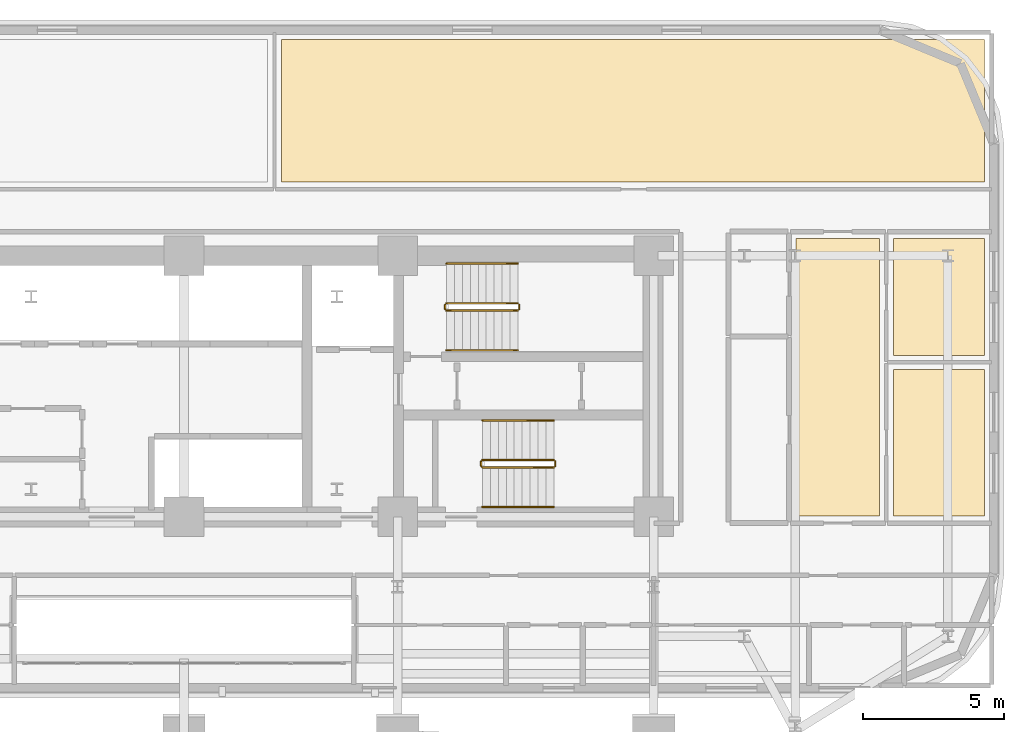
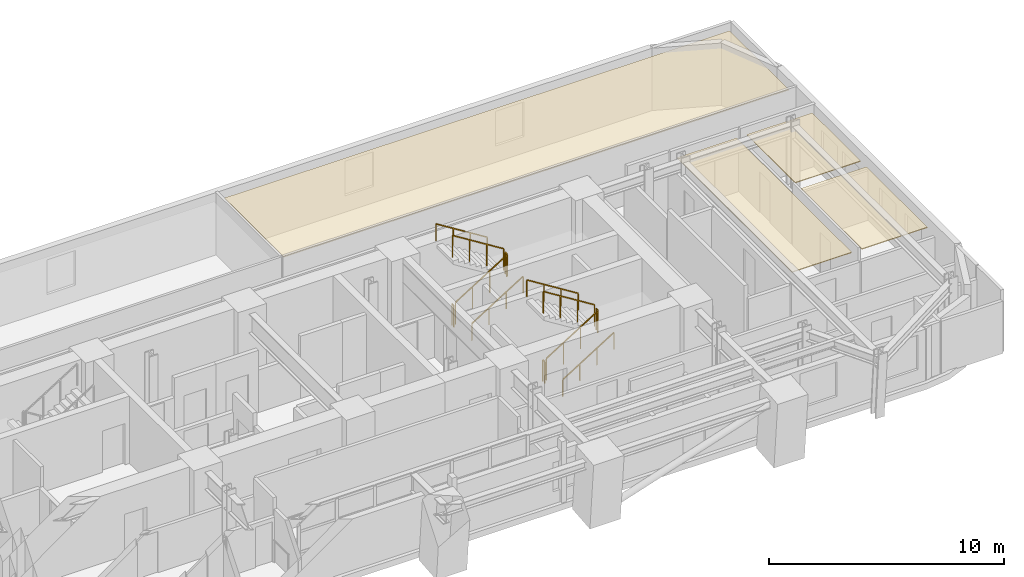
# One storey, part 15 of 15: 12 railings, 4 coverings.
"""IFC4 building model written with IfcOpenShell, lengths in metres."""

from ifc_helpers import new_model, si_unit, direction, frame, origin, origin_2d, place, context, subcontext, project, spatial, polyline, rectangle, outline, extrude, material, layer, layer_set, type_object, element, save


model = new_model("IFC4")

# Units and contexts
model_context = context("Model", 3, precision=1e-05, world=origin(), true_north=direction((0.0, 1.0)))
body_context = subcontext(model_context, "Body", "Model", "MODEL_VIEW")
ifc_project = project(units=[si_unit("LENGTHUNIT", "METRE"), si_unit("AREAUNIT", "SQUARE_METRE"), si_unit("VOLUMEUNIT", "CUBIC_METRE"), si_unit("PLANEANGLEUNIT", "RADIAN"), si_unit("MASSUNIT", "GRAM", prefix="KILO")], contexts=[model_context])

# Site, building, storey
site_placement = place(None, origin())
site = spatial("IfcSite", under=ifc_project, at=site_placement, CompositionType="ELEMENT")
building_placement = place(site_placement, origin())
building = spatial("IfcBuilding", under=site, at=building_placement, Name="Zarnavel Station Tower", CompositionType="ELEMENT")
storey_placement = place(building_placement, frame((0.0, 0.0, 67.5)))
storey = spatial("IfcBuildingStorey", under=building, at=storey_placement, Name="L18", CompositionType="ELEMENT", Elevation=67.5)

# Coverings
ifc_material_1 = material(Name="Perforated Gypsum and Mineral-Wool Acoustic Ceiling", Category="concrete")
ifc_layer = layer(ifc_material_1, 0.0400390625)
ifc_layer_set = layer_set([ifc_layer], Name="COV_CEIL_ACOUSTIC")
covering_type = type_object("IfcCoveringType", Name="COV_CEIL_ACOUSTIC", PredefinedType="CEILING", material=ifc_layer_set)
covering_1_placement = place(storey_placement, frame((0.0, 0.0, 2.919921875)))
element("IfcCovering", 1, at=covering_1_placement, inside=storey, type_object=covering_type, Name="L18 FNELV Acoustic Ceiling", PredefinedType="CEILING", context=body_context, shape_type="SweptSolid", body=[
    extrude(outline(polyline([(50.43701171875, 27.85009765625), (53.3740234375, 27.85009765625), (53.3740234375, 37.64990234375), (50.43701171875, 37.64990234375), (50.43701171875, 27.85009765625)])), origin(), (0.0, 0.0, 1.0), 0.0400390625),
])
covering_2_placement = place(storey_placement, frame((0.0, 0.0, 2.919921875)))
element("IfcCovering", 2, at=covering_2_placement, inside=storey, type_object=covering_type, Name="L18 FNEB1 Acoustic Ceiling", PredefinedType="CEILING", context=body_context, shape_type="SweptSolid", body=[
    extrude(outline(polyline([(53.8740234375, 27.85009765625), (57.090087890625, 27.85009765625), (57.090087890625, 33.029052734375), (53.8740234375, 33.029052734375), (53.8740234375, 27.85009765625)])), origin(), (0.0, 0.0, 1.0), 0.0400390625),
])
covering_3_placement = place(storey_placement, frame((0.0, 0.0, 2.919921875)))
element("IfcCovering", 3, at=covering_3_placement, inside=storey, type_object=covering_type, Name="L18 FNEB2 Acoustic Ceiling", PredefinedType="CEILING", context=body_context, shape_type="SweptSolid", body=[
    extrude(outline(polyline([(53.8740234375, 33.529052734375), (57.090087890625, 33.529052734375), (57.090087890625, 37.64990234375), (53.8740234375, 37.64990234375), (53.8740234375, 33.529052734375)])), origin(), (0.0, 0.0, 1.0), 0.0400390625),
])
covering_4_placement = place(storey_placement, frame((0.0, 0.0, 2.919921875)))
element("IfcCovering", 4, at=covering_4_placement, inside=storey, type_object=covering_type, Name="L18 NL5B Acoustic Ceiling", PredefinedType="CEILING", context=body_context, shape_type="SweptSolid", body=[
    extrude(outline(polyline([(32.25, 39.64990234375), (57.090087890625, 39.64990234375), (57.090087890625, 44.68994140625), (32.25, 44.68994140625), (32.25, 39.64990234375)])), origin(), (0.0, 0.0, 1.0), 0.0400390625),
])

# Railings
ifc_material_2 = material(Name="Painted Steel S355J2 Balustrade", Category="steel")
railing_type_1 = type_object("IfcRailingType", Name="GR_INT_1150", PredefinedType="GUARDRAIL", material=ifc_material_2)
railing_1_placement = place(storey_placement, frame((38.080078125, 35.110107421875, 0.175048828125)))
element("IfcRailing", 5, at=railing_1_placement, inside=storey, type_object=railing_type_1, Name="L18 ST2 stair guard 1", PredefinedType="GUARDRAIL", context=body_context, shape_type="SweptSolid", body=[
    extrude(rectangle(XDim=0.048095703125, YDim=0.048095703125, at=origin_2d()), frame((0.001708984375, 0.0, 1.126953125), z_axis=(0.848007534815, 0.0, 0.529984170421), x_axis=(0.0, 1.0, 0.0)), (0.0, 0.0, 1.0), 2.9677734375),
    extrude(rectangle(XDim=0.0419921875, YDim=0.0419921875, at=origin_2d()), origin(), (0.0, 0.0, 1.0), 1.101806640625),
    extrude(rectangle(XDim=0.0419921875, YDim=0.0419921875, at=origin_2d()), frame((0.840087890625, 0.0, 0.52490234375)), (0.0, 0.0, 1.0), 1.101806640625),
    extrude(rectangle(XDim=0.0419921875, YDim=0.0419921875, at=origin_2d()), frame((1.679931640625, 0.0, 1.050048828125)), (0.0, 0.0, 1.0), 1.101806640625),
    extrude(rectangle(XDim=0.0419921875, YDim=0.0419921875, at=origin_2d()), frame((2.52001953125, 0.0, 1.574951171875)), (0.0, 0.0, 1.0), 1.101806640625),
])
railing_2_placement = place(storey_placement, frame((40.64990234375, 35.159912109375, 1.75)))
element("IfcRailing", 6, at=railing_2_placement, inside=storey, type_object=railing_type_1, Name="L18 ST2 stair guard 2", PredefinedType="GUARDRAIL", context=body_context, shape_type="SweptSolid", body=[
    extrude(rectangle(XDim=0.048095703125, YDim=0.048095703125, at=origin_2d()), frame((0.0, 0.001953125, 1.1259765625), z_axis=(0.0, 1.0, 0.0), x_axis=(-1.0, 0.0, 0.0)), (0.0, 0.0, 1.0), 0.15625),
    extrude(rectangle(XDim=0.0419921875, YDim=0.0419921875, at=origin_2d()), origin(), (0.0, 0.0, 1.0), 1.101806640625),
    extrude(rectangle(XDim=0.0419921875, YDim=0.0419921875, at=origin_2d()), frame((0.0, 0.16015625, 0.0)), (0.0, 0.0, 1.0), 1.101806640625),
])
railing_3_placement = place(storey_placement, frame((40.60009765625, 35.3701171875, 1.925048828125)))
element("IfcRailing", 7, at=railing_3_placement, inside=storey, type_object=railing_type_1, Name="L18 ST2 stair guard 3", PredefinedType="GUARDRAIL", context=body_context, shape_type="SweptSolid", body=[
    extrude(rectangle(XDim=0.048095703125, YDim=0.048095703125, at=origin_2d()), frame((-0.001708984375, 0.0, 1.126953125), z_axis=(-0.848007534815, 0.0, 0.529984170421), x_axis=(0.0, -1.0, 0.0)), (0.0, 0.0, 1.0), 2.9677734375),
    extrude(rectangle(XDim=0.0419921875, YDim=0.0419921875, at=origin_2d()), origin(), (0.0, 0.0, 1.0), 1.101806640625),
    extrude(rectangle(XDim=0.0419921875, YDim=0.0419921875, at=origin_2d()), frame((-0.840087890625, 0.0, 0.52490234375)), (0.0, 0.0, 1.0), 1.101806640625),
    extrude(rectangle(XDim=0.0419921875, YDim=0.0419921875, at=origin_2d()), frame((-1.679931640625, 0.0, 1.050048828125)), (0.0, 0.0, 1.0), 1.101806640625),
    extrude(rectangle(XDim=0.0419921875, YDim=0.0419921875, at=origin_2d()), frame((-2.52001953125, 0.0, 1.574951171875)), (0.0, 0.0, 1.0), 1.101806640625),
])
railing_4_placement = place(storey_placement, frame((38.030029296875, 35.159912109375, 0.0)))
element("IfcRailing", 8, at=railing_4_placement, inside=storey, type_object=railing_type_1, Name="L18 ST2 stair guard 4", PredefinedType="GUARDRAIL", context=body_context, shape_type="SweptSolid", body=[
    extrude(rectangle(XDim=0.048095703125, YDim=0.048095703125, at=origin_2d()), frame((0.0, 0.001953125, 1.1259765625), z_axis=(0.0, 1.0, 0.0), x_axis=(-1.0, 0.0, 0.0)), (0.0, 0.0, 1.0), 0.15625),
    extrude(rectangle(XDim=0.0419921875, YDim=0.0419921875, at=origin_2d()), origin(), (0.0, 0.0, 1.0), 1.101806640625),
    extrude(rectangle(XDim=0.0419921875, YDim=0.0419921875, at=origin_2d()), frame((0.0, 0.16015625, 0.0)), (0.0, 0.0, 1.0), 1.101806640625),
])
railing_5_placement = place(storey_placement, frame((39.35009765625, 29.570068359375, 0.175048828125)))
element("IfcRailing", 9, at=railing_5_placement, inside=storey, type_object=railing_type_1, Name="L18 ST3 stair guard 1", PredefinedType="GUARDRAIL", context=body_context, shape_type="SweptSolid", body=[
    extrude(rectangle(XDim=0.048095703125, YDim=0.048095703125, at=origin_2d()), frame((0.001708984375, 0.0, 1.126953125), z_axis=(0.848007534815, 0.0, 0.529984170421), x_axis=(0.0, 1.0, 0.0)), (0.0, 0.0, 1.0), 2.9677734375),
    extrude(rectangle(XDim=0.0419921875, YDim=0.0419921875, at=origin_2d()), origin(), (0.0, 0.0, 1.0), 1.101806640625),
    extrude(rectangle(XDim=0.0419921875, YDim=0.0419921875, at=origin_2d()), frame((0.840087890625, 0.0, 0.52490234375)), (0.0, 0.0, 1.0), 1.101806640625),
    extrude(rectangle(XDim=0.0419921875, YDim=0.0419921875, at=origin_2d()), frame((1.679931640625, 0.0, 1.050048828125)), (0.0, 0.0, 1.0), 1.101806640625),
    extrude(rectangle(XDim=0.0419921875, YDim=0.0419921875, at=origin_2d()), frame((2.52001953125, 0.0, 1.574951171875)), (0.0, 0.0, 1.0), 1.101806640625),
])
railing_6_placement = place(storey_placement, frame((41.919921875, 29.6201171875, 1.75)))
element("IfcRailing", 10, at=railing_6_placement, inside=storey, type_object=railing_type_1, Name="L18 ST3 stair guard 2", PredefinedType="GUARDRAIL", context=body_context, shape_type="SweptSolid", body=[
    extrude(rectangle(XDim=0.048095703125, YDim=0.048095703125, at=origin_2d()), frame((0.0, 0.001953125, 1.1259765625), z_axis=(0.0, 1.0, 0.0), x_axis=(-1.0, 0.0, 0.0)), (0.0, 0.0, 1.0), 0.156005859375),
    extrude(rectangle(XDim=0.0419921875, YDim=0.0419921875, at=origin_2d()), origin(), (0.0, 0.0, 1.0), 1.101806640625),
    extrude(rectangle(XDim=0.0419921875, YDim=0.0419921875, at=origin_2d()), frame((0.0, 0.159912109375, 0.0)), (0.0, 0.0, 1.0), 1.101806640625),
])
railing_7_placement = place(storey_placement, frame((41.8701171875, 29.830078125, 1.925048828125)))
element("IfcRailing", 11, at=railing_7_placement, inside=storey, type_object=railing_type_1, Name="L18 ST3 stair guard 3", PredefinedType="GUARDRAIL", context=body_context, shape_type="SweptSolid", body=[
    extrude(rectangle(XDim=0.048095703125, YDim=0.048095703125, at=origin_2d()), frame((-0.001708984375, 0.0, 1.126953125), z_axis=(-0.848007534815, 0.0, 0.529984170421), x_axis=(0.0, -1.0, 0.0)), (0.0, 0.0, 1.0), 2.9677734375),
    extrude(rectangle(XDim=0.0419921875, YDim=0.0419921875, at=origin_2d()), origin(), (0.0, 0.0, 1.0), 1.101806640625),
    extrude(rectangle(XDim=0.0419921875, YDim=0.0419921875, at=origin_2d()), frame((-0.840087890625, 0.0, 0.52490234375)), (0.0, 0.0, 1.0), 1.101806640625),
    extrude(rectangle(XDim=0.0419921875, YDim=0.0419921875, at=origin_2d()), frame((-1.679931640625, 0.0, 1.050048828125)), (0.0, 0.0, 1.0), 1.101806640625),
    extrude(rectangle(XDim=0.0419921875, YDim=0.0419921875, at=origin_2d()), frame((-2.52001953125, 0.0, 1.574951171875)), (0.0, 0.0, 1.0), 1.101806640625),
])
railing_8_placement = place(storey_placement, frame((39.300048828125, 29.6201171875, 0.0)))
element("IfcRailing", 12, at=railing_8_placement, inside=storey, type_object=railing_type_1, Name="L18 ST3 stair guard 4", PredefinedType="GUARDRAIL", context=body_context, shape_type="SweptSolid", body=[
    extrude(rectangle(XDim=0.048095703125, YDim=0.048095703125, at=origin_2d()), frame((0.0, 0.001953125, 1.1259765625), z_axis=(0.0, 1.0, 0.0), x_axis=(-1.0, 0.0, 0.0)), (0.0, 0.0, 1.0), 0.156005859375),
    extrude(rectangle(XDim=0.0419921875, YDim=0.0419921875, at=origin_2d()), origin(), (0.0, 0.0, 1.0), 1.101806640625),
    extrude(rectangle(XDim=0.0419921875, YDim=0.0419921875, at=origin_2d()), frame((0.0, 0.159912109375, 0.0)), (0.0, 0.0, 1.0), 1.101806640625),
])
ifc_material_3 = material(Name="Brushed Stainless Steel S355J2 Handrail", Category="steel")
railing_type_2 = type_object("IfcRailingType", Name="HR_STAIR_900", PredefinedType="HANDRAIL", material=ifc_material_3)
railing_9_placement = place(storey_placement, frame((38.080078125, 33.7099609375, 0.175048828125)))
element("IfcRailing", 13, at=railing_9_placement, inside=storey, type_object=railing_type_2, Name="L18 ST2 stair handrail 1", PredefinedType="HANDRAIL", context=body_context, shape_type="SweptSolid", body=[
    extrude(rectangle(XDim=0.048095703125, YDim=0.048095703125, at=origin_2d()), frame((0.001708984375, 0.0, 0.876953125), z_axis=(0.848007534815, 0.0, 0.529984170421), x_axis=(0.0, 1.0, 0.0)), (0.0, 0.0, 1.0), 2.9677734375),
    extrude(rectangle(XDim=0.0419921875, YDim=0.0419921875, at=origin_2d()), origin(), (0.0, 0.0, 1.0), 0.851806640625),
    extrude(rectangle(XDim=0.0419921875, YDim=0.0419921875, at=origin_2d()), frame((0.840087890625, 0.0, 0.52490234375)), (0.0, 0.0, 1.0), 0.851806640625),
    extrude(rectangle(XDim=0.0419921875, YDim=0.0419921875, at=origin_2d()), frame((1.679931640625, 0.0, 1.050048828125)), (0.0, 0.0, 1.0), 0.851806640625),
    extrude(rectangle(XDim=0.0419921875, YDim=0.0419921875, at=origin_2d()), frame((2.52001953125, 0.0, 1.574951171875)), (0.0, 0.0, 1.0), 0.851806640625),
])
railing_10_placement = place(storey_placement, frame((40.60009765625, 36.77001953125, 1.925048828125)))
element("IfcRailing", 14, at=railing_10_placement, inside=storey, type_object=railing_type_2, Name="L18 ST2 stair handrail 2", PredefinedType="HANDRAIL", context=body_context, shape_type="SweptSolid", body=[
    extrude(rectangle(XDim=0.048095703125, YDim=0.048095703125, at=origin_2d()), frame((-0.001708984375, 0.0, 0.876953125), z_axis=(-0.848007534815, 0.0, 0.529984170421), x_axis=(0.0, -1.0, 0.0)), (0.0, 0.0, 1.0), 2.9677734375),
    extrude(rectangle(XDim=0.0419921875, YDim=0.0419921875, at=origin_2d()), origin(), (0.0, 0.0, 1.0), 0.851806640625),
    extrude(rectangle(XDim=0.0419921875, YDim=0.0419921875, at=origin_2d()), frame((-0.840087890625, 0.0, 0.52490234375)), (0.0, 0.0, 1.0), 0.851806640625),
    extrude(rectangle(XDim=0.0419921875, YDim=0.0419921875, at=origin_2d()), frame((-1.679931640625, 0.0, 1.050048828125)), (0.0, 0.0, 1.0), 0.851806640625),
    extrude(rectangle(XDim=0.0419921875, YDim=0.0419921875, at=origin_2d()), frame((-2.52001953125, 0.0, 1.574951171875)), (0.0, 0.0, 1.0), 0.851806640625),
])
railing_11_placement = place(storey_placement, frame((39.35009765625, 28.169921875, 0.175048828125)))
element("IfcRailing", 15, at=railing_11_placement, inside=storey, type_object=railing_type_2, Name="L18 ST3 stair handrail 1", PredefinedType="HANDRAIL", context=body_context, shape_type="SweptSolid", body=[
    extrude(rectangle(XDim=0.048095703125, YDim=0.048095703125, at=origin_2d()), frame((0.001708984375, 0.0, 0.876953125), z_axis=(0.848007534815, 0.0, 0.529984170421), x_axis=(0.0, 1.0, 0.0)), (0.0, 0.0, 1.0), 2.9677734375),
    extrude(rectangle(XDim=0.0419921875, YDim=0.0419921875, at=origin_2d()), origin(), (0.0, 0.0, 1.0), 0.851806640625),
    extrude(rectangle(XDim=0.0419921875, YDim=0.0419921875, at=origin_2d()), frame((0.840087890625, 0.0, 0.52490234375)), (0.0, 0.0, 1.0), 0.851806640625),
    extrude(rectangle(XDim=0.0419921875, YDim=0.0419921875, at=origin_2d()), frame((1.679931640625, 0.0, 1.050048828125)), (0.0, 0.0, 1.0), 0.851806640625),
    extrude(rectangle(XDim=0.0419921875, YDim=0.0419921875, at=origin_2d()), frame((2.52001953125, 0.0, 1.574951171875)), (0.0, 0.0, 1.0), 0.851806640625),
])
railing_12_placement = place(storey_placement, frame((41.8701171875, 31.22998046875, 1.925048828125)))
element("IfcRailing", 16, at=railing_12_placement, inside=storey, type_object=railing_type_2, Name="L18 ST3 stair handrail 2", PredefinedType="HANDRAIL", context=body_context, shape_type="SweptSolid", body=[
    extrude(rectangle(XDim=0.048095703125, YDim=0.048095703125, at=origin_2d()), frame((-0.001708984375, 0.0, 0.876953125), z_axis=(-0.848007534815, 0.0, 0.529984170421), x_axis=(0.0, -1.0, 0.0)), (0.0, 0.0, 1.0), 2.9677734375),
    extrude(rectangle(XDim=0.0419921875, YDim=0.0419921875, at=origin_2d()), origin(), (0.0, 0.0, 1.0), 0.851806640625),
    extrude(rectangle(XDim=0.0419921875, YDim=0.0419921875, at=origin_2d()), frame((-0.840087890625, 0.0, 0.52490234375)), (0.0, 0.0, 1.0), 0.851806640625),
    extrude(rectangle(XDim=0.0419921875, YDim=0.0419921875, at=origin_2d()), frame((-1.679931640625, 0.0, 1.050048828125)), (0.0, 0.0, 1.0), 0.851806640625),
    extrude(rectangle(XDim=0.0419921875, YDim=0.0419921875, at=origin_2d()), frame((-2.52001953125, 0.0, 1.574951171875)), (0.0, 0.0, 1.0), 0.851806640625),
])

save(model, "model.ifc")
